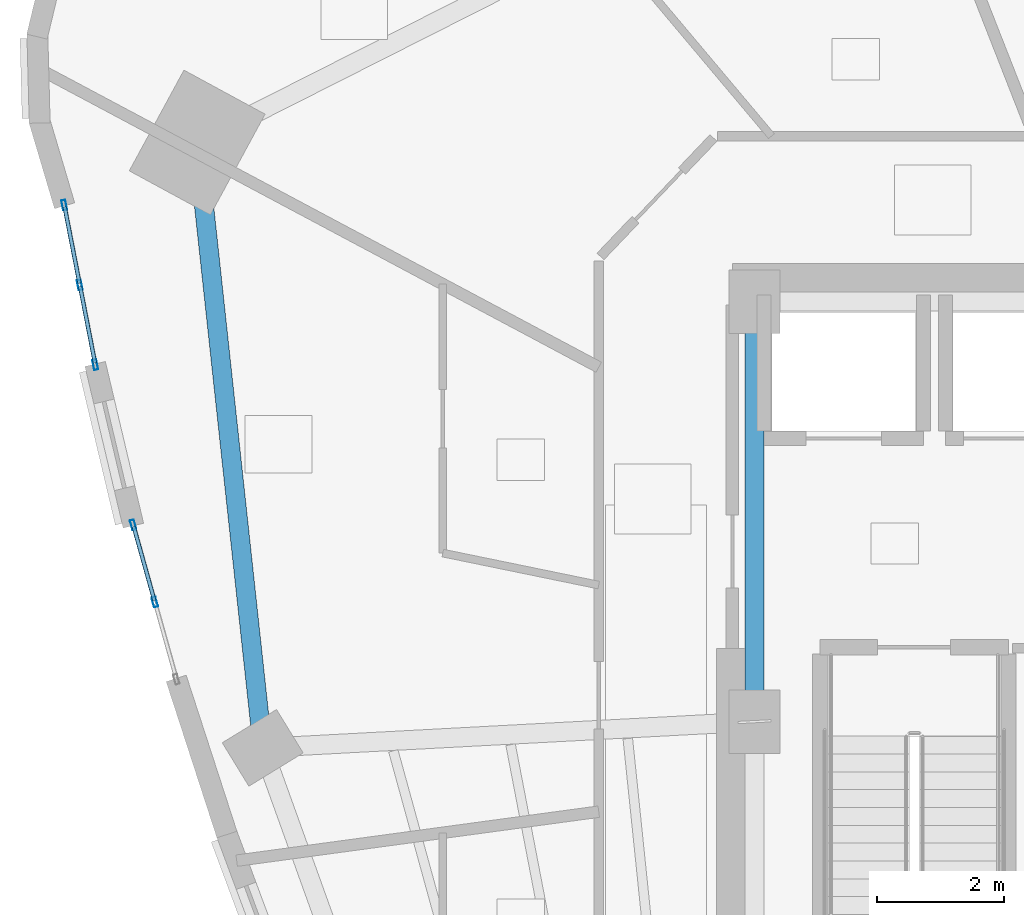
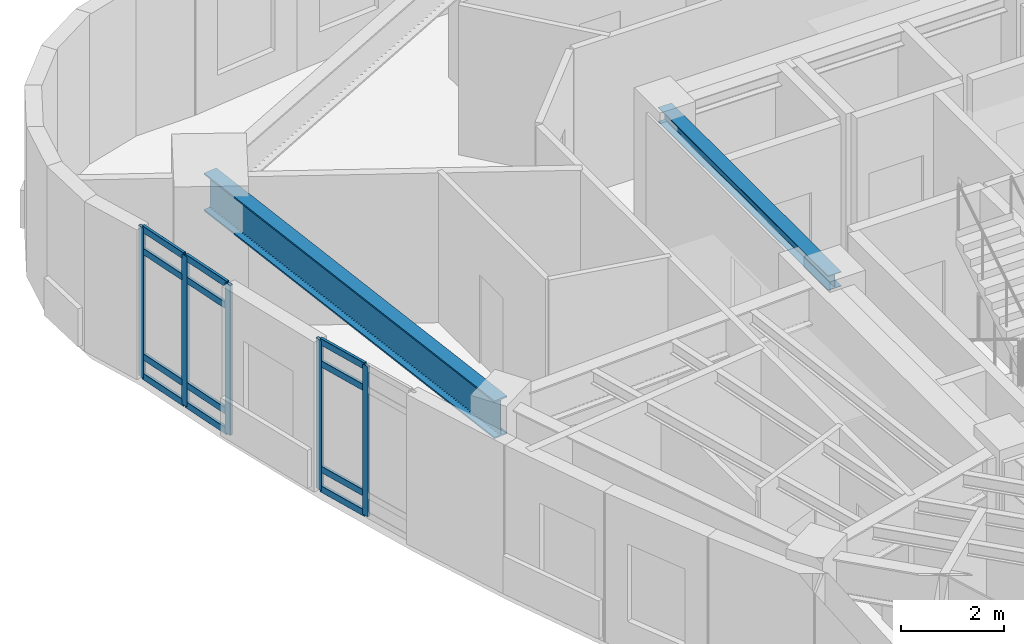
# One storey, part 4 of 16: 17 members, 2 beams, 2 elements without a shape of their own.
"""IFC4 building model written with IfcOpenShell, lengths in metres."""

from ifc_helpers import new_model, si_unit, direction, frame, origin, origin_2d, place, context, subcontext, project, spatial, hollow_rectangle, i_section, extrude, material, layer, layer_set, material_profile, profile_set, type_object, element, aggregate, save


model = new_model("IFC4")

# Units and contexts
model_context = context("Model", 3, precision=1e-05, world=origin(), true_north=direction((0.0, 1.0)))
body_context = subcontext(model_context, "Body", "Model", "MODEL_VIEW")
ifc_project = project(units=[si_unit("LENGTHUNIT", "METRE"), si_unit("AREAUNIT", "SQUARE_METRE"), si_unit("VOLUMEUNIT", "CUBIC_METRE"), si_unit("PLANEANGLEUNIT", "RADIAN"), si_unit("MASSUNIT", "GRAM", prefix="KILO")], contexts=[model_context])

# Site, building, storey
site_placement = place(None, origin())
site = spatial("IfcSite", under=ifc_project, at=site_placement, CompositionType="ELEMENT")
building_placement = place(site_placement, origin())
building = spatial("IfcBuilding", under=site, at=building_placement, Name="Ndelora Gate Hotel", CompositionType="ELEMENT")
storey_placement = place(building_placement, frame((0.0, 0.0, 182.75)))
storey = spatial("IfcBuildingStorey", under=building, at=storey_placement, Name="L45", CompositionType="ELEMENT", Elevation=182.75)

# Beams
ifc_material_1 = material(Name="Steel S460", Category="steel")
ifc_material_profile_1 = material_profile(ifc_material_1, i_section(OverallWidth=0.300048828125, OverallDepth=0.89990234375, WebThickness=0.0185546875, FlangeThickness=0.034912109375, FilletRadius=0.030029296875, at=origin_2d()), Name="HEB 900")
ifc_profile_set_1 = profile_set([ifc_material_profile_1], Name="Steel S460")
beam_type_1 = type_object("IfcBeamType", Name="BM-BELT-900", PredefinedType="SPANDREL", material=ifc_profile_set_1)
beam_1_placement = place(storey_placement, frame((-16.759521484375, 9.099609375, 3.10009765625), z_axis=(0.107613416645, -0.994192814578, 0.0), x_axis=(0.994192814578, 0.107613416645, 0.0)))
element("IfcBeam", 1, at=beam_1_placement, inside=storey, type_object=beam_type_1, Name="L45 Perimeter Spandrel Girder 1", PredefinedType="SPANDREL", context=body_context, shape_type="SweptSolid", body=[
    extrude(i_section(OverallWidth=0.300048828125, OverallDepth=0.89990234375, WebThickness=0.0185546875, FlangeThickness=0.034912109375, FilletRadius=0.030029296875, at=origin_2d()), origin(), (0.0, 0.0, 1.0), 9.567138671875),
])
ifc_material_2 = material(Name="Steel S355", Category="steel")
ifc_material_profile_2 = material_profile(ifc_material_2, i_section(OverallWidth=0.300048828125, OverallDepth=0.35009765625, WebThickness=0.010009765625, FlangeThickness=0.017578125, FilletRadius=0.027099609375, at=origin_2d()), Name="HEA 360")
ifc_profile_set_2 = profile_set([ifc_material_profile_2], Name="Steel S355")
beam_type_2 = type_object("IfcBeamType", Name="BM-CORE-350", PredefinedType="BEAM", material=ifc_profile_set_2)
beam_2_placement = place(storey_placement, frame((-8.0, 0.0, 3.375), z_axis=(0.0, 1.0, 0.0), x_axis=(-1.0, 0.0, 0.0)))
element("IfcBeam", 2, at=beam_2_placement, inside=storey, type_object=beam_type_2, Name="L45 Core Tie Girder CC8-CC7", PredefinedType="BEAM", context=body_context, shape_type="SweptSolid", body=[
    extrude(i_section(OverallWidth=0.300048828125, OverallDepth=0.35009765625, WebThickness=0.010009765625, FlangeThickness=0.017578125, FilletRadius=0.027099609375, at=origin_2d()), origin(), (0.0, 0.0, 1.0), 6.60009765625),
])

# Curtain wall, members
ifc_material_3 = material(Name="Bronze Anodised Unitised Aluminium and Low-E Glass", Category="aluminium")
ifc_layer = layer(ifc_material_3, 0.2099609375)
ifc_layer_set = layer_set([ifc_layer], Name="Bronze Anodised Unitised Aluminium and Low-E Glass")
curtain_wall_type = type_object("IfcCurtainWallType", Name="CW-SYS-5", PredefinedType="NOTDEFINED", material=ifc_layer_set)
curtain_wall_1_placement = place(storey_placement, origin())
curtain_wall_1 = element("IfcCurtainWall", 3, at=curtain_wall_1_placement, inside=storey, type_object=curtain_wall_type, Name="L45 Upper Sky-Lobby & Altitude Fitness Curtain Wall 1", PredefinedType="NOTDEFINED")
ifc_material_4 = material(Name="Bronze Anodised Aluminium 6063-T6", Category="aluminium")
ifc_material_profile_3 = material_profile(ifc_material_4, hollow_rectangle(XDim=0.06494140625, YDim=0.159912109375, WallThickness=0.00390625, InnerFilletRadius=0.00390625, OuterFilletRadius=0.008056640625, at=origin_2d()), Name="ALU 160x65x4")
ifc_profile_set_3 = profile_set([ifc_material_profile_3], Name="Bronze Anodised Aluminium 6063-T6")
member_type_1 = type_object("IfcMemberType", Name="MB-CW-MUL150", PredefinedType="MULLION", material=ifc_profile_set_3)
member_1_placement = place(storey_placement, frame((-18.847900390625, 8.11669921875, -0.00390625), z_axis=(0.0, 0.0, 1.0), x_axis=(0.981615588183, 0.190868638168, 0.0)))
member_1 = element("IfcMember", 4, at=member_1_placement, type_object=member_type_1, Name="CW5 mullion 1", PredefinedType="MULLION", context=body_context, shape_type="SweptSolid", body=[
    extrude(hollow_rectangle(XDim=0.06494140625, YDim=0.159912109375, WallThickness=0.00390625, InnerFilletRadius=0.00390625, OuterFilletRadius=0.008056640625, at=origin_2d()), origin(), (0.0, 0.0, 1.0), 3.557861328125),
])
member_2_placement = place(storey_placement, frame((-18.603759765625, 6.862060546875, -0.00390625), z_axis=(0.0, 0.0, 1.0), x_axis=(0.981615588183, 0.190868638168, 0.0)))
member_2 = element("IfcMember", 5, at=member_2_placement, type_object=member_type_1, Name="CW5 mullion 2", PredefinedType="MULLION", context=body_context, shape_type="SweptSolid", body=[
    extrude(hollow_rectangle(XDim=0.06494140625, YDim=0.159912109375, WallThickness=0.00390625, InnerFilletRadius=0.00390625, OuterFilletRadius=0.008056640625, at=origin_2d()), origin(), (0.0, 0.0, 1.0), 3.557861328125),
])
member_3_placement = place(storey_placement, frame((-18.35986328125, 5.607177734375, -0.00390625), z_axis=(0.0, 0.0, 1.0), x_axis=(0.981615588183, 0.190868638168, 0.0)))
member_3 = element("IfcMember", 6, at=member_3_placement, type_object=member_type_1, Name="CW5 mullion 3", PredefinedType="MULLION", context=body_context, shape_type="SweptSolid", body=[
    extrude(hollow_rectangle(XDim=0.06494140625, YDim=0.159912109375, WallThickness=0.00390625, InnerFilletRadius=0.00390625, OuterFilletRadius=0.008056640625, at=origin_2d()), origin(), (0.0, 0.0, 1.0), 3.557861328125),
])

curtain_wall_2_placement = place(storey_placement, origin())
curtain_wall_2 = element("IfcCurtainWall", 7, at=curtain_wall_2_placement, inside=storey, type_object=curtain_wall_type, Name="L45 Upper Sky-Lobby & Altitude Fitness Curtain Wall 2", PredefinedType="NOTDEFINED")
member_4_placement = place(storey_placement, frame((-17.764892578125, 3.091552734375, -0.00390625), z_axis=(0.0, 0.0, 1.0), x_axis=(0.962949943866, 0.269680191355, 0.0)))
member_4 = element("IfcMember", 8, at=member_4_placement, type_object=member_type_1, Name="CW5 mullion 1", PredefinedType="MULLION", context=body_context, shape_type="SweptSolid", body=[
    extrude(hollow_rectangle(XDim=0.06494140625, YDim=0.159912109375, WallThickness=0.00390625, InnerFilletRadius=0.00390625, OuterFilletRadius=0.008056640625, at=origin_2d()), origin(), (0.0, 0.0, 1.0), 3.557861328125),
])
member_5_placement = place(storey_placement, frame((-17.42529296875, 1.87939453125, -0.00390625), z_axis=(0.0, 0.0, 1.0), x_axis=(0.962949943866, 0.269680191355, 0.0)))
member_5 = element("IfcMember", 9, at=member_5_placement, type_object=member_type_1, Name="CW5 mullion 2", PredefinedType="MULLION", context=body_context, shape_type="SweptSolid", body=[
    extrude(hollow_rectangle(XDim=0.06494140625, YDim=0.159912109375, WallThickness=0.00390625, InnerFilletRadius=0.00390625, OuterFilletRadius=0.008056640625, at=origin_2d()), origin(), (0.0, 0.0, 1.0), 3.557861328125),
])

# Member
ifc_material_profile_4 = material_profile(ifc_material_4, hollow_rectangle(XDim=0.06494140625, YDim=0.159912109375, WallThickness=0.00390625, InnerFilletRadius=0.00390625, OuterFilletRadius=0.008056640625, at=origin_2d()), Name="ALU 160x65x4")
ifc_profile_set_4 = profile_set([ifc_material_profile_4], Name="Bronze Anodised Aluminium 6063-T6")
member_type_2 = type_object("IfcMemberType", Name="MB-CW-TRN150", PredefinedType="USERDEFINED", material=ifc_profile_set_4)
member_6_placement = place(storey_placement, frame((-18.8427734375, 8.0908203125, 0.032470703125), z_axis=(0.190864326494, -0.98161642655, 0.0), x_axis=(0.98161642655, 0.190864326494, 0.0)))
member_6 = element("IfcMember", 10, at=member_6_placement, type_object=member_type_2, Name="CW5 transom 1.1", ObjectType="TRANSOM", PredefinedType="USERDEFINED", context=body_context, shape_type="SweptSolid", body=[
    extrude(hollow_rectangle(XDim=0.06494140625, YDim=0.159912109375, WallThickness=0.00390625, InnerFilletRadius=0.00390625, OuterFilletRadius=0.008056640625, at=origin_2d()), origin(), (0.0, 0.0, 1.0), 1.225341796875),
])

member_7_placement = place(storey_placement, frame((-18.8427734375, 8.0908203125, 0.5), z_axis=(0.190864326494, -0.98161642655, 0.0), x_axis=(0.98161642655, 0.190864326494, 0.0)))
member_7 = element("IfcMember", 11, at=member_7_placement, type_object=member_type_2, Name="CW5 transom 1.2", ObjectType="TRANSOM", PredefinedType="USERDEFINED", context=body_context, shape_type="SweptSolid", body=[
    extrude(hollow_rectangle(XDim=0.06494140625, YDim=0.159912109375, WallThickness=0.00390625, InnerFilletRadius=0.00390625, OuterFilletRadius=0.008056640625, at=origin_2d()), origin(), (0.0, 0.0, 1.0), 1.225341796875),
])

member_8_placement = place(storey_placement, frame((-18.8427734375, 8.0908203125, 3.0), z_axis=(0.190864326494, -0.98161642655, 0.0), x_axis=(0.98161642655, 0.190864326494, 0.0)))
member_8 = element("IfcMember", 12, at=member_8_placement, type_object=member_type_2, Name="CW5 transom 1.3", ObjectType="TRANSOM", PredefinedType="USERDEFINED", context=body_context, shape_type="SweptSolid", body=[
    extrude(hollow_rectangle(XDim=0.06494140625, YDim=0.159912109375, WallThickness=0.00390625, InnerFilletRadius=0.00390625, OuterFilletRadius=0.008056640625, at=origin_2d()), origin(), (0.0, 0.0, 1.0), 1.225341796875),
])

member_9_placement = place(storey_placement, frame((-18.8427734375, 8.0908203125, 3.517578125), z_axis=(0.190864326494, -0.98161642655, 0.0), x_axis=(0.98161642655, 0.190864326494, 0.0)))
member_9 = element("IfcMember", 13, at=member_9_placement, type_object=member_type_2, Name="CW5 transom 1.4", ObjectType="TRANSOM", PredefinedType="USERDEFINED", context=body_context, shape_type="SweptSolid", body=[
    extrude(hollow_rectangle(XDim=0.06494140625, YDim=0.159912109375, WallThickness=0.00390625, InnerFilletRadius=0.00390625, OuterFilletRadius=0.008056640625, at=origin_2d()), origin(), (0.0, 0.0, 1.0), 1.225341796875),
])

member_10_placement = place(storey_placement, frame((-18.5986328125, 6.8359375, 0.032470703125), z_axis=(0.190864326494, -0.98161642655, 0.0), x_axis=(0.98161642655, 0.190864326494, 0.0)))
member_10 = element("IfcMember", 14, at=member_10_placement, type_object=member_type_2, Name="CW5 transom 2.1", ObjectType="TRANSOM", PredefinedType="USERDEFINED", context=body_context, shape_type="SweptSolid", body=[
    extrude(hollow_rectangle(XDim=0.06494140625, YDim=0.159912109375, WallThickness=0.00390625, InnerFilletRadius=0.00390625, OuterFilletRadius=0.008056640625, at=origin_2d()), origin(), (0.0, 0.0, 1.0), 1.225341796875),
])

member_11_placement = place(storey_placement, frame((-18.5986328125, 6.8359375, 0.5), z_axis=(0.190864326494, -0.98161642655, 0.0), x_axis=(0.98161642655, 0.190864326494, 0.0)))
member_11 = element("IfcMember", 15, at=member_11_placement, type_object=member_type_2, Name="CW5 transom 2.2", ObjectType="TRANSOM", PredefinedType="USERDEFINED", context=body_context, shape_type="SweptSolid", body=[
    extrude(hollow_rectangle(XDim=0.06494140625, YDim=0.159912109375, WallThickness=0.00390625, InnerFilletRadius=0.00390625, OuterFilletRadius=0.008056640625, at=origin_2d()), origin(), (0.0, 0.0, 1.0), 1.225341796875),
])

member_12_placement = place(storey_placement, frame((-18.5986328125, 6.8359375, 3.0), z_axis=(0.190864326494, -0.98161642655, 0.0), x_axis=(0.98161642655, 0.190864326494, 0.0)))
member_12 = element("IfcMember", 16, at=member_12_placement, type_object=member_type_2, Name="CW5 transom 2.3", ObjectType="TRANSOM", PredefinedType="USERDEFINED", context=body_context, shape_type="SweptSolid", body=[
    extrude(hollow_rectangle(XDim=0.06494140625, YDim=0.159912109375, WallThickness=0.00390625, InnerFilletRadius=0.00390625, OuterFilletRadius=0.008056640625, at=origin_2d()), origin(), (0.0, 0.0, 1.0), 1.225341796875),
])

member_13_placement = place(storey_placement, frame((-18.5986328125, 6.8359375, 3.517578125), z_axis=(0.190864326494, -0.98161642655, 0.0), x_axis=(0.98161642655, 0.190864326494, 0.0)))
member_13 = element("IfcMember", 17, at=member_13_placement, type_object=member_type_2, Name="CW5 transom 2.4", ObjectType="TRANSOM", PredefinedType="USERDEFINED", context=body_context, shape_type="SweptSolid", body=[
    extrude(hollow_rectangle(XDim=0.06494140625, YDim=0.159912109375, WallThickness=0.00390625, InnerFilletRadius=0.00390625, OuterFilletRadius=0.008056640625, at=origin_2d()), origin(), (0.0, 0.0, 1.0), 1.225341796875),
])

aggregate(curtain_wall_1, [member_1, member_2, member_3, member_6, member_7, member_8, member_9, member_10, member_11, member_12, member_13])

member_14_placement = place(storey_placement, frame((-17.757568359375, 3.066162109375, 0.032470703125), z_axis=(0.269502245945, -0.962999760867, 0.0), x_axis=(0.962999760867, 0.269502245945, 0.0)))
member_14 = element("IfcMember", 18, at=member_14_placement, type_object=member_type_2, Name="CW5 transom 1.1", ObjectType="TRANSOM", PredefinedType="USERDEFINED", context=body_context, shape_type="SweptSolid", body=[
    extrude(hollow_rectangle(XDim=0.06494140625, YDim=0.159912109375, WallThickness=0.00390625, InnerFilletRadius=0.00390625, OuterFilletRadius=0.008056640625, at=origin_2d()), origin(), (0.0, 0.0, 1.0), 1.205810546875),
])

member_15_placement = place(storey_placement, frame((-17.757568359375, 3.066162109375, 0.5), z_axis=(0.269502245945, -0.962999760867, 0.0), x_axis=(0.962999760867, 0.269502245945, 0.0)))
member_15 = element("IfcMember", 19, at=member_15_placement, type_object=member_type_2, Name="CW5 transom 1.2", ObjectType="TRANSOM", PredefinedType="USERDEFINED", context=body_context, shape_type="SweptSolid", body=[
    extrude(hollow_rectangle(XDim=0.06494140625, YDim=0.159912109375, WallThickness=0.00390625, InnerFilletRadius=0.00390625, OuterFilletRadius=0.008056640625, at=origin_2d()), origin(), (0.0, 0.0, 1.0), 1.205810546875),
])

member_16_placement = place(storey_placement, frame((-17.757568359375, 3.066162109375, 3.0), z_axis=(0.269502245945, -0.962999760867, 0.0), x_axis=(0.962999760867, 0.269502245945, 0.0)))
member_16 = element("IfcMember", 20, at=member_16_placement, type_object=member_type_2, Name="CW5 transom 1.3", ObjectType="TRANSOM", PredefinedType="USERDEFINED", context=body_context, shape_type="SweptSolid", body=[
    extrude(hollow_rectangle(XDim=0.06494140625, YDim=0.159912109375, WallThickness=0.00390625, InnerFilletRadius=0.00390625, OuterFilletRadius=0.008056640625, at=origin_2d()), origin(), (0.0, 0.0, 1.0), 1.205810546875),
])

member_17_placement = place(storey_placement, frame((-17.757568359375, 3.066162109375, 3.517578125), z_axis=(0.269502245945, -0.962999760867, 0.0), x_axis=(0.962999760867, 0.269502245945, 0.0)))
member_17 = element("IfcMember", 21, at=member_17_placement, type_object=member_type_2, Name="CW5 transom 1.4", ObjectType="TRANSOM", PredefinedType="USERDEFINED", context=body_context, shape_type="SweptSolid", body=[
    extrude(hollow_rectangle(XDim=0.06494140625, YDim=0.159912109375, WallThickness=0.00390625, InnerFilletRadius=0.00390625, OuterFilletRadius=0.008056640625, at=origin_2d()), origin(), (0.0, 0.0, 1.0), 1.205810546875),
])

aggregate(curtain_wall_2, [member_4, member_5, member_14, member_15, member_16, member_17])

save(model, "model.ifc")
